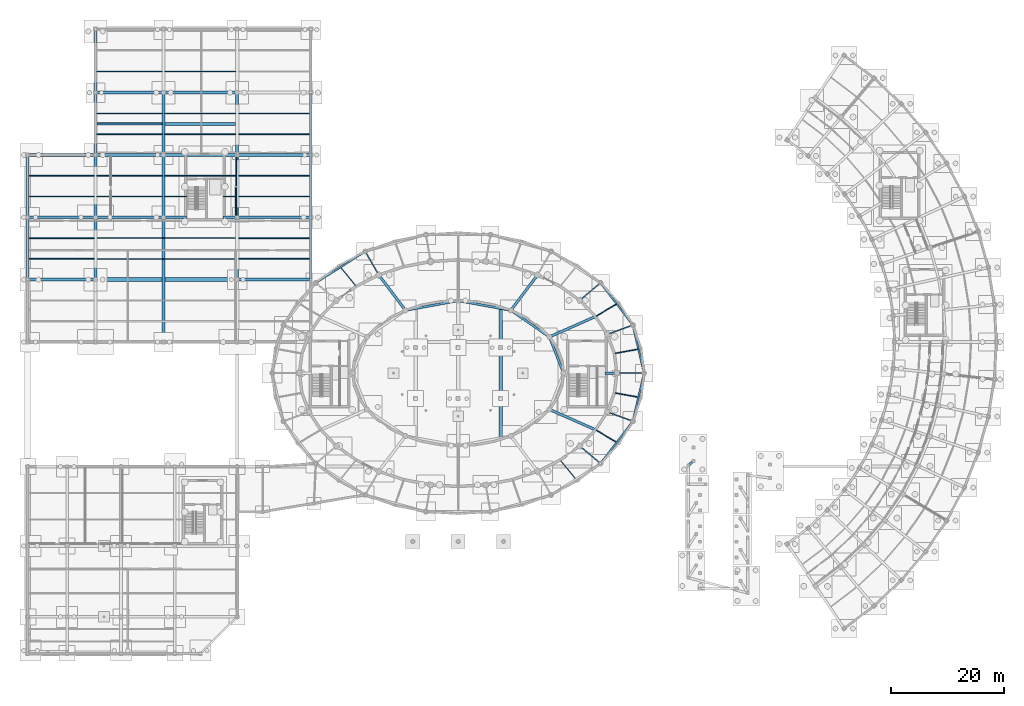
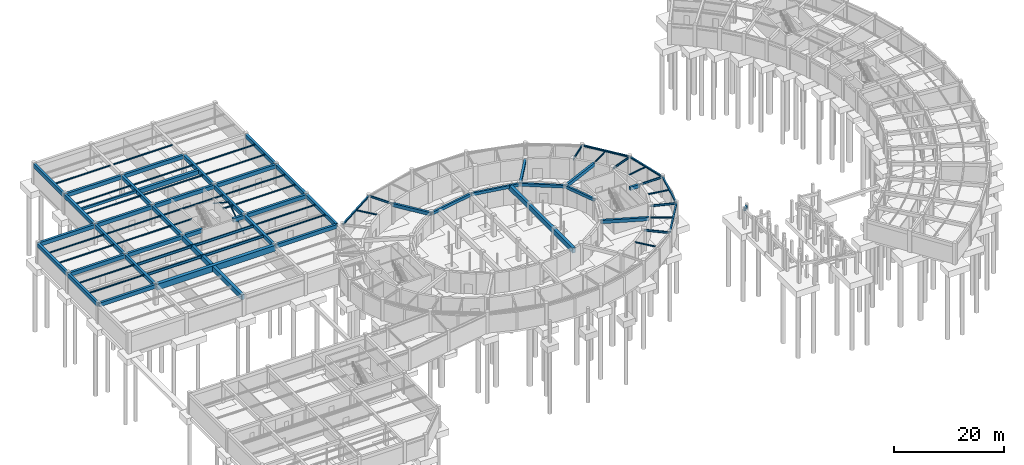
# One storey, part 14 of 42: 82 beams, 2 members.
"""IFC4 building model written with IfcOpenShell, lengths in metres."""

from ifc_helpers import new_model, si_unit, direction, frame, origin, origin_2d, place, context, subcontext, project, spatial, rectangle, hollow_circle, i_section, extrude, material, material_profile, profile_set, type_object, element, save


model = new_model("IFC4")

# Units and contexts
model_context = context("Model", 3, precision=1e-05, world=origin(), true_north=direction((0.0, 1.0)))
body_context = subcontext(model_context, "Body", "Model", "MODEL_VIEW")
ifc_project = project(units=[si_unit("LENGTHUNIT", "METRE"), si_unit("AREAUNIT", "SQUARE_METRE"), si_unit("VOLUMEUNIT", "CUBIC_METRE"), si_unit("PLANEANGLEUNIT", "RADIAN"), si_unit("MASSUNIT", "GRAM", prefix="KILO")], contexts=[model_context])

# Site, building, storey
site_placement = place(None, origin())
site = spatial("IfcSite", under=ifc_project, at=site_placement, CompositionType="ELEMENT")
building_placement = place(site_placement, origin())
building = spatial("IfcBuilding", under=site, at=building_placement, Name="Tarnveldt Headland Concert Hall", CompositionType="ELEMENT")
storey_placement = place(building_placement, frame((0.0, 0.0, -4.800048828125)))
storey = spatial("IfcBuildingStorey", under=building, at=storey_placement, Name="B1", CompositionType="ELEMENT", Elevation=-4.800048828125)

# Members
ifc_material_1 = material(Name="Steel S355", Category="steel")
ifc_material_profile_1 = material_profile(ifc_material_1, hollow_circle(Radius=0.136474609375, WallThickness=0.01611328125, at=origin_2d()), Name="CHS 273x16", Category="steel")
ifc_profile_set_1 = profile_set([ifc_material_profile_1], Name="Steel S355")
member_type = type_object("IfcMemberType", Name="BR-CHS273", PredefinedType="BRACE", material=ifc_profile_set_1)
member_1_placement = place(storey_placement, frame((44.300048828125, 81.800048828125, 0.300048828125), z_axis=(0.0, 0.837759521195, 0.546039361811), x_axis=(-1.0, 0.0, 0.0)))
element("IfcMember", 1, at=member_1_placement, inside=storey, type_object=member_type, Name="Lateral chevron brace B1-4A", PredefinedType="BRACE", context=body_context, shape_type="SweptSolid", body=[
    extrude(hollow_circle(Radius=0.136474609375, WallThickness=0.01611328125, at=origin_2d()), origin(), (0.0, 0.0, 1.0), 6.684326171875),
])
member_2_placement = place(storey_placement, frame((44.300048828125, 93.0, 0.300048828125), z_axis=(0.0, -0.837770410765, 0.546022654152), x_axis=(1.0, 0.0, 0.0)))
element("IfcMember", 2, at=member_2_placement, inside=storey, type_object=member_type, Name="Lateral chevron brace B1-4B", PredefinedType="BRACE", context=body_context, shape_type="SweptSolid", body=[
    extrude(hollow_circle(Radius=0.136474609375, WallThickness=0.01611328125, at=origin_2d()), origin(), (0.0, 0.0, 1.0), 6.6845703125),
])

# Beams
ifc_material_2 = material(Name="Concrete C40/50", Category="concrete")
ifc_material_profile_2 = material_profile(ifc_material_2, rectangle(XDim=0.35009765625, YDim=0.550048828125, at=origin_2d()), Name="RC 350x550", Category="concrete")
ifc_profile_set_2 = profile_set([ifc_material_profile_2], Name="Concrete C40/50")
beam_type_1 = type_object("IfcBeamType", Name="CB-350x550", PredefinedType="BEAM", material=ifc_profile_set_2)
beam_1_placement = place(storey_placement, frame((19.75, 98.5, 4.22509765625), z_axis=(1.0, 0.0, 0.0), x_axis=(0.0, 1.0, 0.0)))
element("IfcBeam", 3, at=beam_1_placement, inside=storey, type_object=beam_type_1, Name="Framing beam B1-1453", PredefinedType="BEAM", context=body_context, shape_type="SweptSolid", body=[
    extrude(rectangle(XDim=0.35009765625, YDim=0.550048828125, at=origin_2d()), origin(), (0.0, 0.0, 1.0), 11.5),
])
ifc_material_profile_3 = material_profile(ifc_material_2, rectangle(XDim=0.39990234375, YDim=0.64990234375, at=origin_2d()), Name="RC 400x650", Category="concrete")
ifc_profile_set_3 = profile_set([ifc_material_profile_3], Name="Concrete C40/50")
beam_type_2 = type_object("IfcBeamType", Name="CB-400x650", PredefinedType="BEAM", material=ifc_profile_set_3)
beam_2_placement = place(storey_placement, frame((102.078125, 54.555908203125, 4.175048828125), z_axis=(-0.362816377746, 0.931860652694, 0.0), x_axis=(-0.931860652694, -0.362816377746, 0.0)))
element("IfcBeam", 4, at=beam_2_placement, inside=storey, type_object=beam_type_2, Name="Framing beam B1-56", PredefinedType="BEAM", context=body_context, shape_type="SweptSolid", body=[
    extrude(rectangle(XDim=0.39990234375, YDim=0.64990234375, at=origin_2d()), origin(), (0.0, 0.0, 1.0), 6.747802734375),
])
beam_3_placement = place(storey_placement, frame((99.55859375, 60.93408203125, 4.175048828125), z_axis=(-0.823792567818, 0.566891352207, 0.0), x_axis=(-0.566891352207, -0.823792567818, 0.0)))
element("IfcBeam", 5, at=beam_3_placement, inside=storey, type_object=beam_type_2, Name="Framing beam B1-58", PredefinedType="BEAM", context=body_context, shape_type="SweptSolid", body=[
    extrude(rectangle(XDim=0.39990234375, YDim=0.64990234375, at=origin_2d()), origin(), (0.0, 0.0, 1.0), 8.144287109375),
])
for number, where, z_axis, x_axis, name in (
    (6, (92.740966796875, 65.595947265625, 4.175048828125), (-0.983420438696, 0.181340124501, 0.0), (-0.181340124501, -0.983420438696, 0.0), "Framing beam B1-60"),
    (7, (83.44091796875, 67.2890625, 4.175048828125), (-0.983420438696, -0.181340124501, 0.0), (0.181340124501, -0.983420438696, 0.0), "Framing beam B1-62"),
):
    element("IfcBeam", number, at=place(storey_placement, frame(where, z_axis=z_axis, x_axis=x_axis)), inside=storey, type_object=beam_type_2, Name=name, PredefinedType="BEAM", context=body_context, shape_type="SweptSolid", body=[
        extrude(rectangle(XDim=0.39990234375, YDim=0.64990234375, at=origin_2d()), origin(), (0.0, 0.0, 1.0), 9.336669921875),
    ])
beam_4_placement = place(storey_placement, frame((124.1298828125, 38.2265625, 4.175048828125), z_axis=(0.747469222213, 0.66429644124, 0.0), x_axis=(-0.66429644124, 0.747469222213, 0.0)))
element("IfcBeam", 8, at=beam_4_placement, inside=storey, type_object=beam_type_2, Name="Framing beam B1-1432", PredefinedType="BEAM", context=body_context, shape_type="SweptSolid", body=[
    extrude(rectangle(XDim=0.39990234375, YDim=0.64990234375, at=origin_2d()), origin(), (0.0, 0.0, 1.0), 1.124267578125),
])
ifc_material_profile_4 = material_profile(ifc_material_2, rectangle(XDim=0.449951171875, YDim=0.75, at=origin_2d()), Name="RC 450x750", Category="concrete")
ifc_profile_set_4 = profile_set([ifc_material_profile_4], Name="Concrete C40/50")
beam_type_3 = type_object("IfcBeamType", Name="CB-450x750", PredefinedType="BEAM", material=ifc_profile_set_4)
beam_5_placement = place(storey_placement, frame((109.419921875, 54.5, 4.125), z_axis=(1.0, 0.0, 0.0), x_axis=(0.0, 1.0, 0.0)))
element("IfcBeam", 9, at=beam_5_placement, inside=storey, type_object=beam_type_3, Name="Framing beam B1-55", PredefinedType="BEAM", context=body_context, shape_type="SweptSolid", body=[
    extrude(rectangle(XDim=0.449951171875, YDim=0.75, at=origin_2d()), origin(), (0.0, 0.0, 1.0), 2.0400390625),
])
beam_6_placement = place(storey_placement, frame((99.644775390625, 60.916259765625, 4.125), z_axis=(0.91456211397, 0.404445471839, 0.0), x_axis=(-0.404445471839, 0.91456211397, 0.0)))
element("IfcBeam", 10, at=beam_6_placement, inside=storey, type_object=beam_type_3, Name="Framing beam B1-57", PredefinedType="BEAM", context=body_context, shape_type="SweptSolid", body=[
    extrude(rectangle(XDim=0.449951171875, YDim=0.75, at=origin_2d()), origin(), (0.0, 0.0, 1.0), 8.821044921875),
])
for number, where, z_axis, x_axis, name in (
    (11, (92.82421875, 65.616943359375, 4.125), (0.601893745781, 0.798576182208, 0.0), (-0.798576182208, 0.601893745781, 0.0), "Framing beam B1-59"),
    (12, (74.17578125, 65.616943359375, 4.125), (-0.601893745781, 0.798576182208, 0.0), (-0.798576182208, -0.601893745781, 0.0), "Framing beam B1-63"),
):
    element("IfcBeam", number, at=place(storey_placement, frame(where, z_axis=z_axis, x_axis=x_axis)), inside=storey, type_object=beam_type_3, Name=name, PredefinedType="BEAM", context=body_context, shape_type="SweptSolid", body=[
        extrude(rectangle(XDim=0.449951171875, YDim=0.75, at=origin_2d()), origin(), (0.0, 0.0, 1.0), 7.728271484375),
    ])
beam_7_placement = place(storey_placement, frame((99.644775390625, 48.083740234375, 4.125), z_axis=(0.91456211397, -0.404445471839, 0.0), x_axis=(0.404445471839, 0.91456211397, 0.0)))
element("IfcBeam", 13, at=beam_7_placement, inside=storey, type_object=beam_type_3, Name="Framing beam B1-77", PredefinedType="BEAM", context=body_context, shape_type="SweptSolid", body=[
    extrude(rectangle(XDim=0.449951171875, YDim=0.75, at=origin_2d()), origin(), (0.0, 0.0, 1.0), 8.821044921875),
])
ifc_material_profile_5 = material_profile(ifc_material_2, rectangle(XDim=0.5, YDim=0.85009765625, at=origin_2d()), Name="RC 500x850", Category="concrete")
ifc_profile_set_5 = profile_set([ifc_material_profile_5], Name="Concrete C40/50")
beam_type_4 = type_object("IfcBeamType", Name="CB-500x850", PredefinedType="BEAM", material=ifc_profile_set_5)
beam_8_placement = place(storey_placement, frame((7.56005859375, 71.0, 4.074951171875), z_axis=(1.0, 0.0, 0.0), x_axis=(0.0, 1.0, 0.0)))
element("IfcBeam", 14, at=beam_8_placement, inside=storey, type_object=beam_type_4, Name="Framing beam B1-273", PredefinedType="BEAM", context=body_context, shape_type="SweptSolid", body=[
    extrude(rectangle(XDim=0.5, YDim=0.85009765625, at=origin_2d()), origin(), (0.0, 0.0, 1.0), 11.8798828125),
])
beam_9_placement = place(storey_placement, frame((44.56005859375, 71.0, 4.074951171875), z_axis=(1.0, 0.0, 0.0), x_axis=(0.0, 1.0, 0.0)))
element("IfcBeam", 15, at=beam_9_placement, inside=storey, type_object=beam_type_4, Name="Framing beam B1-275", PredefinedType="BEAM", context=body_context, shape_type="SweptSolid", body=[
    extrude(rectangle(XDim=0.5, YDim=0.85009765625, at=origin_2d()), origin(), (0.0, 0.0, 1.0), 12.8798828125),
])
for number, where, z_axis, x_axis, name in (
    (16, (7.56005859375, 82.0, 4.074951171875), (1.0, 0.0, 0.0), (0.0, 1.0, 0.0), "Framing beam B1-276"),
    (17, (19.56005859375, 82.0, 4.074951171875), (1.0, 0.0, 0.0), (0.0, 1.0, 0.0), "Framing beam B1-277"),
):
    element("IfcBeam", number, at=place(storey_placement, frame(where, z_axis=z_axis, x_axis=x_axis)), inside=storey, type_object=beam_type_4, Name=name, PredefinedType="BEAM", context=body_context, shape_type="SweptSolid", body=[
        extrude(rectangle(XDim=0.5, YDim=0.85009765625, at=origin_2d()), origin(), (0.0, 0.0, 1.0), 11.8798828125),
    ])
beam_10_placement = place(storey_placement, frame((31.56005859375, 82.0, 4.074951171875), z_axis=(1.0, 0.0, 0.0), x_axis=(0.0, 1.0, 0.0)))
element("IfcBeam", 18, at=beam_10_placement, inside=storey, type_object=beam_type_4, Name="Framing beam B1-278", PredefinedType="BEAM", context=body_context, shape_type="SweptSolid", body=[
    extrude(rectangle(XDim=0.5, YDim=0.85009765625, at=origin_2d()), origin(), (0.0, 0.0, 1.0), 4.02001953125),
])
beam_11_placement = place(storey_placement, frame((42.02001953125, 82.0, 4.074951171875), z_axis=(1.0, 0.0, 0.0), x_axis=(0.0, 1.0, 0.0)))
element("IfcBeam", 19, at=beam_11_placement, inside=storey, type_object=beam_type_4, Name="Framing beam B1-279", PredefinedType="BEAM", context=body_context, shape_type="SweptSolid", body=[
    extrude(rectangle(XDim=0.5, YDim=0.85009765625, at=origin_2d()), origin(), (0.0, 0.0, 1.0), 2.419921875),
])
beam_12_placement = place(storey_placement, frame((44.56005859375, 82.0, 4.074951171875), z_axis=(1.0, 0.0, 0.0), x_axis=(0.0, 1.0, 0.0)))
element("IfcBeam", 20, at=beam_12_placement, inside=storey, type_object=beam_type_4, Name="Framing beam B1-280", PredefinedType="BEAM", context=body_context, shape_type="SweptSolid", body=[
    extrude(rectangle(XDim=0.5, YDim=0.85009765625, at=origin_2d()), origin(), (0.0, 0.0, 1.0), 12.8798828125),
])
for number, where, z_axis, x_axis, name in (
    (21, (7.56005859375, 93.0, 4.074951171875), (1.0, 0.0, 0.0), (0.0, 1.0, 0.0), "Framing beam B1-281"),
    (22, (19.56005859375, 93.0, 4.074951171875), (1.0, 0.0, 0.0), (0.0, 1.0, 0.0), "Framing beam B1-282"),
):
    element("IfcBeam", number, at=place(storey_placement, frame(where, z_axis=z_axis, x_axis=x_axis)), inside=storey, type_object=beam_type_4, Name=name, PredefinedType="BEAM", context=body_context, shape_type="SweptSolid", body=[
        extrude(rectangle(XDim=0.5, YDim=0.85009765625, at=origin_2d()), origin(), (0.0, 0.0, 1.0), 11.8798828125),
    ])
for number, where, z_axis, x_axis, name in (
    (23, (31.56005859375, 93.0, 4.074951171875), (1.0, 0.0, 0.0), (0.0, 1.0, 0.0), "Framing beam B1-283"),
    (24, (44.56005859375, 93.0, 4.074951171875), (1.0, 0.0, 0.0), (0.0, 1.0, 0.0), "Framing beam B1-284"),
):
    element("IfcBeam", number, at=place(storey_placement, frame(where, z_axis=z_axis, x_axis=x_axis)), inside=storey, type_object=beam_type_4, Name=name, PredefinedType="BEAM", context=body_context, shape_type="SweptSolid", body=[
        extrude(rectangle(XDim=0.5, YDim=0.85009765625, at=origin_2d()), origin(), (0.0, 0.0, 1.0), 12.8798828125),
    ])
beam_13_placement = place(storey_placement, frame((19.56005859375, 104.0, 4.074951171875), z_axis=(1.0, 0.0, 0.0), x_axis=(0.0, 1.0, 0.0)))
element("IfcBeam", 25, at=beam_13_placement, inside=storey, type_object=beam_type_4, Name="Framing beam B1-285", PredefinedType="BEAM", context=body_context, shape_type="SweptSolid", body=[
    extrude(rectangle(XDim=0.5, YDim=0.85009765625, at=origin_2d()), origin(), (0.0, 0.0, 1.0), 11.8798828125),
])
beam_14_placement = place(storey_placement, frame((31.56005859375, 104.0, 4.074951171875), z_axis=(1.0, 0.0, 0.0), x_axis=(0.0, 1.0, 0.0)))
element("IfcBeam", 26, at=beam_14_placement, inside=storey, type_object=beam_type_4, Name="Framing beam B1-286", PredefinedType="BEAM", context=body_context, shape_type="SweptSolid", body=[
    extrude(rectangle(XDim=0.5, YDim=0.85009765625, at=origin_2d()), origin(), (0.0, 0.0, 1.0), 12.8798828125),
])
for number, where, z_axis, x_axis, name in (
    (27, (7.5, 71.06005859375, 4.074951171875), (0.0, 1.0, 0.0), (-1.0, 0.0, 0.0), "Framing beam B1-294"),
    (28, (7.5, 82.06005859375, 4.074951171875), (0.0, 1.0, 0.0), (-1.0, 0.0, 0.0), "Framing beam B1-297"),
    (29, (19.5, 71.06005859375, 4.074951171875), (0.0, 1.0, 0.0), (-1.0, 0.0, 0.0), "Framing beam B1-303"),
    (30, (19.5, 82.06005859375, 4.074951171875), (0.0, 1.0, 0.0), (-1.0, 0.0, 0.0), "Framing beam B1-306"),
    (31, (19.5, 93.06005859375, 4.074951171875), (0.0, 1.0, 0.0), (-1.0, 0.0, 0.0), "Framing beam B1-309"),
):
    element("IfcBeam", number, at=place(storey_placement, frame(where, z_axis=z_axis, x_axis=x_axis)), inside=storey, type_object=beam_type_4, Name=name, PredefinedType="BEAM", context=body_context, shape_type="SweptSolid", body=[
        extrude(rectangle(XDim=0.5, YDim=0.85009765625, at=origin_2d()), origin(), (0.0, 0.0, 1.0), 10.8798828125),
    ])
beam_15_placement = place(storey_placement, frame((19.5, 104.06005859375, 4.074951171875), z_axis=(0.0, 1.0, 0.0), x_axis=(-1.0, 0.0, 0.0)))
element("IfcBeam", 32, at=beam_15_placement, inside=storey, type_object=beam_type_4, Name="Framing beam B1-312", PredefinedType="BEAM", context=body_context, shape_type="SweptSolid", body=[
    extrude(rectangle(XDim=0.5, YDim=0.85009765625, at=origin_2d()), origin(), (0.0, 0.0, 1.0), 11.079833984375),
])
for number, where, z_axis, x_axis, name in (
    (33, (31.5, 82.06005859375, 4.074951171875), (0.0, 1.0, 0.0), (-1.0, 0.0, 0.0), "Framing beam B1-316"),
    (34, (31.5, 93.06005859375, 4.074951171875), (0.0, 1.0, 0.0), (-1.0, 0.0, 0.0), "Framing beam B1-320"),
    (35, (44.5, 71.06005859375, 4.074951171875), (0.0, 1.0, 0.0), (-1.0, 0.0, 0.0), "Framing beam B1-329"),
    (36, (44.5, 82.06005859375, 4.074951171875), (0.0, 1.0, 0.0), (-1.0, 0.0, 0.0), "Framing beam B1-332"),
    (37, (44.5, 93.06005859375, 4.074951171875), (0.0, 1.0, 0.0), (-1.0, 0.0, 0.0), "Framing beam B1-335"),
    (38, (57.5, 71.06005859375, 4.074951171875), (0.0, 1.0, 0.0), (-1.0, 0.0, 0.0), "Framing beam B1-342"),
    (39, (57.5, 82.06005859375, 4.074951171875), (0.0, 1.0, 0.0), (-1.0, 0.0, 0.0), "Framing beam B1-343"),
    (40, (57.5, 93.06005859375, 4.074951171875), (0.0, 1.0, 0.0), (-1.0, 0.0, 0.0), "Framing beam B1-344"),
):
    element("IfcBeam", number, at=place(storey_placement, frame(where, z_axis=z_axis, x_axis=x_axis)), inside=storey, type_object=beam_type_4, Name=name, PredefinedType="BEAM", context=body_context, shape_type="SweptSolid", body=[
        extrude(rectangle(XDim=0.5, YDim=0.85009765625, at=origin_2d()), origin(), (0.0, 0.0, 1.0), 10.8798828125),
    ])
ifc_material_profile_6 = material_profile(ifc_material_2, rectangle(XDim=0.550048828125, YDim=0.949951171875, at=origin_2d()), Name="RC 550x950", Category="concrete")
ifc_profile_set_6 = profile_set([ifc_material_profile_6], Name="Concrete C40/50")
beam_type_5 = type_object("IfcBeamType", Name="CB-550x950", PredefinedType="BEAM", material=ifc_profile_set_6)
beam_16_placement = place(storey_placement, frame((31.75, 98.5, 4.025146484375), z_axis=(1.0, 0.0, 0.0), x_axis=(0.0, 1.0, 0.0)))
element("IfcBeam", 41, at=beam_16_placement, inside=storey, type_object=beam_type_5, Name="Framing beam B1-1454", PredefinedType="BEAM", context=body_context, shape_type="SweptSolid", body=[
    extrude(rectangle(XDim=0.550048828125, YDim=0.949951171875, at=origin_2d()), origin(), (0.0, 0.0, 1.0), 12.5),
])
ifc_material_profile_7 = material_profile(ifc_material_2, rectangle(XDim=0.60009765625, YDim=1.10009765625, at=origin_2d()), Name="RC 600x1100", Category="concrete")
ifc_profile_set_7 = profile_set([ifc_material_profile_7], Name="Concrete C40/50")
beam_type_6 = type_object("IfcBeamType", Name="CB-600x1100", PredefinedType="BEAM", material=ifc_profile_set_7)
beam_17_placement = place(storey_placement, frame((91.0, 42.806640625, 3.949951171875), z_axis=(0.0, 1.0, 0.0), x_axis=(-1.0, 0.0, 0.0)))
element("IfcBeam", 42, at=beam_17_placement, inside=storey, type_object=beam_type_6, Name="Framing beam B1-81", PredefinedType="BEAM", context=body_context, shape_type="SweptSolid", body=[
    extrude(rectangle(XDim=0.60009765625, YDim=1.10009765625, at=origin_2d()), origin(), (0.0, 0.0, 1.0), 23.38671875),
])
beam_18_placement = place(storey_placement, frame((31.5, 60.06005859375, 3.949951171875), z_axis=(0.0, 1.0, 0.0), x_axis=(-1.0, 0.0, 0.0)))
element("IfcBeam", 43, at=beam_18_placement, inside=storey, type_object=beam_type_6, Name="Framing beam B1-315", PredefinedType="BEAM", context=body_context, shape_type="SweptSolid", body=[
    extrude(rectangle(XDim=0.60009765625, YDim=1.10009765625, at=origin_2d()), origin(), (0.0, 0.0, 1.0), 21.8798828125),
])
ifc_material_profile_8 = material_profile(ifc_material_2, rectangle(XDim=0.699951171875, YDim=1.300048828125, at=origin_2d()), Name="RC 700x1300", Category="concrete")
ifc_profile_set_8 = profile_set([ifc_material_profile_8], Name="Concrete C40/50")
beam_type_7 = type_object("IfcBeamType", Name="CB-700x1300", PredefinedType="BEAM", material=ifc_profile_set_8)
beam_19_placement = place(storey_placement, frame((19.580078125, 71.0, 3.85009765625), z_axis=(1.0, 0.0, 0.0), x_axis=(0.0, 1.0, 0.0)))
element("IfcBeam", 44, at=beam_19_placement, inside=storey, type_object=beam_type_7, Name="Framing beam B1-274", PredefinedType="BEAM", context=body_context, shape_type="SweptSolid", body=[
    extrude(rectangle(XDim=0.699951171875, YDim=1.300048828125, at=origin_2d()), origin(), (0.0, 0.0, 1.0), 24.83984375),
])
ifc_material_profile_9 = material_profile(ifc_material_1, i_section(OverallWidth=0.300048828125, OverallDepth=0.35009765625, WebThickness=0.010009765625, FlangeThickness=0.017578125, FilletRadius=0.027099609375, at=origin_2d()), Name="HEA360", Category="steel")
ifc_profile_set_9 = profile_set([ifc_material_profile_9], Name="Steel S355")
beam_type_8 = type_object("IfcBeamType", Name="SB-HEA360", PredefinedType="SPANDREL", material=ifc_profile_set_9)
beam_20_placement = place(storey_placement, frame((116.286376953125, 54.558349609375, 4.324951171875), z_axis=(-0.227123591729, 0.973865942561, 0.0), x_axis=(-0.973865942561, -0.227123591729, 0.0)))
element("IfcBeam", 45, at=beam_20_placement, inside=storey, type_object=beam_type_8, Name="Framing beam B1-1", PredefinedType="SPANDREL", context=body_context, shape_type="SweptSolid", body=[
    extrude(i_section(OverallWidth=0.300048828125, OverallDepth=0.35009765625, WebThickness=0.010009765625, FlangeThickness=0.017578125, FilletRadius=0.027099609375, at=origin_2d()), origin(), (0.0, 0.0, 1.0), 8.589599609375),
])
beam_21_placement = place(storey_placement, frame((114.285400390625, 63.02978515625, 4.324951171875), z_axis=(-0.606896353007, 0.794780986629, 0.0), x_axis=(-0.794780986629, -0.606896353007, 0.0)))
element("IfcBeam", 46, at=beam_21_placement, inside=storey, type_object=beam_type_8, Name="Framing beam B1-4", PredefinedType="SPANDREL", context=body_context, shape_type="SweptSolid", body=[
    extrude(i_section(OverallWidth=0.300048828125, OverallDepth=0.35009765625, WebThickness=0.010009765625, FlangeThickness=0.017578125, FilletRadius=0.027099609375, at=origin_2d()), origin(), (0.0, 0.0, 1.0), 9.264892578125),
])
beam_22_placement = place(storey_placement, frame((67.04931640625, 75.9453125, 4.324951171875), z_axis=(-0.844390967344, -0.535727444012, 0.0), x_axis=(0.535727444012, -0.844390967344, 0.0)))
element("IfcBeam", 47, at=beam_22_placement, inside=storey, type_object=beam_type_8, Name="Framing beam B1-19", PredefinedType="SPANDREL", context=body_context, shape_type="SweptSolid", body=[
    extrude(i_section(OverallWidth=0.300048828125, OverallDepth=0.35009765625, WebThickness=0.010009765625, FlangeThickness=0.017578125, FilletRadius=0.027099609375, at=origin_2d()), origin(), (0.0, 0.0, 1.0), 10.21435546875),
])
beam_23_placement = place(storey_placement, frame((108.66259765625, 38.606689453125, 4.324951171875), z_axis=(0.606896353007, 0.794780986629, 0.0), x_axis=(-0.794780986629, 0.606896353007, 0.0)))
element("IfcBeam", 48, at=beam_23_placement, inside=storey, type_object=beam_type_8, Name="Framing beam B1-49", PredefinedType="SPANDREL", context=body_context, shape_type="SweptSolid", body=[
    extrude(i_section(OverallWidth=0.300048828125, OverallDepth=0.35009765625, WebThickness=0.010009765625, FlangeThickness=0.017578125, FilletRadius=0.027099609375, at=origin_2d()), origin(), (0.0, 0.0, 1.0), 9.264892578125),
])
beam_24_placement = place(storey_placement, frame((114.33544921875, 46.076416015625, 4.324951171875), z_axis=(0.227123591729, 0.973865942561, 0.0), x_axis=(-0.973865942561, 0.227123591729, 0.0)))
element("IfcBeam", 49, at=beam_24_placement, inside=storey, type_object=beam_type_8, Name="Framing beam B1-52", PredefinedType="SPANDREL", context=body_context, shape_type="SweptSolid", body=[
    extrude(i_section(OverallWidth=0.300048828125, OverallDepth=0.35009765625, WebThickness=0.010009765625, FlangeThickness=0.017578125, FilletRadius=0.027099609375, at=origin_2d()), origin(), (0.0, 0.0, 1.0), 8.589599609375),
])
ifc_material_profile_10 = material_profile(ifc_material_1, i_section(OverallWidth=0.14990234375, OverallDepth=0.300048828125, WebThickness=0.007080078125, FlangeThickness=0.0107421875, FilletRadius=0.014892578125, at=origin_2d()), Name="IPE300", Category="steel")
ifc_profile_set_10 = profile_set([ifc_material_profile_10], Name="Steel S355")
beam_type_9 = type_object("IfcBeamType", Name="SB-IPE300", PredefinedType="JOIST", material=ifc_profile_set_10)
beam_25_placement = place(storey_placement, frame((111.246826171875, 58.004150390625, 4.35009765625), z_axis=(0.983953220183, 0.178426624954, 0.0), x_axis=(-0.178426624954, 0.983953220183, 0.0)))
element("IfcBeam", 50, at=beam_25_placement, inside=storey, type_object=beam_type_9, Name="Framing beam B1-3", PredefinedType="JOIST", context=body_context, shape_type="SweptSolid", body=[
    extrude(i_section(OverallWidth=0.14990234375, OverallDepth=0.300048828125, WebThickness=0.007080078125, FlangeThickness=0.0107421875, FilletRadius=0.014892578125, at=origin_2d()), origin(), (0.0, 0.0, 1.0), 3.98046875),
])
beam_26_placement = place(storey_placement, frame((107.899169921875, 64.58935546875, 4.35009765625), z_axis=(0.859902377377, 0.510458520726, 0.0), x_axis=(-0.510458520726, 0.859902377377, 0.0)))
element("IfcBeam", 51, at=beam_26_placement, inside=storey, type_object=beam_type_9, Name="Framing beam B1-6", PredefinedType="JOIST", context=body_context, shape_type="SweptSolid", body=[
    extrude(i_section(OverallWidth=0.14990234375, OverallDepth=0.300048828125, WebThickness=0.007080078125, FlangeThickness=0.0107421875, FilletRadius=0.014892578125, at=origin_2d()), origin(), (0.0, 0.0, 1.0), 4.007568359375),
])
beam_27_placement = place(storey_placement, frame((65.391357421875, 69.95654296875, 4.35009765625), z_axis=(-0.632291553532, 0.774730528205, 0.0), x_axis=(-0.774730528205, -0.632291553532, 0.0)))
element("IfcBeam", 52, at=beam_27_placement, inside=storey, type_object=beam_type_9, Name="Framing beam B1-21", PredefinedType="JOIST", context=body_context, shape_type="SweptSolid", body=[
    extrude(i_section(OverallWidth=0.14990234375, OverallDepth=0.300048828125, WebThickness=0.007080078125, FlangeThickness=0.0107421875, FilletRadius=0.014892578125, at=origin_2d()), origin(), (0.0, 0.0, 1.0), 4.048583984375),
])
beam_28_placement = place(storey_placement, frame((101.608642578125, 39.04345703125, 4.35009765625), z_axis=(0.63225535632, -0.774760068928, 0.0), x_axis=(0.774760068928, 0.63225535632, 0.0)))
element("IfcBeam", 53, at=beam_28_placement, inside=storey, type_object=beam_type_9, Name="Framing beam B1-48", PredefinedType="JOIST", context=body_context, shape_type="SweptSolid", body=[
    extrude(i_section(OverallWidth=0.14990234375, OverallDepth=0.300048828125, WebThickness=0.007080078125, FlangeThickness=0.0107421875, FilletRadius=0.014892578125, at=origin_2d()), origin(), (0.0, 0.0, 1.0), 4.04833984375),
])
beam_29_placement = place(storey_placement, frame((107.899169921875, 44.41064453125, 4.35009765625), z_axis=(0.859902377377, -0.510458520726, 0.0), x_axis=(0.510458520726, 0.859902377377, 0.0)))
element("IfcBeam", 54, at=beam_29_placement, inside=storey, type_object=beam_type_9, Name="Framing beam B1-51", PredefinedType="JOIST", context=body_context, shape_type="SweptSolid", body=[
    extrude(i_section(OverallWidth=0.14990234375, OverallDepth=0.300048828125, WebThickness=0.007080078125, FlangeThickness=0.0107421875, FilletRadius=0.014892578125, at=origin_2d()), origin(), (0.0, 0.0, 1.0), 4.007568359375),
])
beam_30_placement = place(storey_placement, frame((111.246826171875, 50.995849609375, 4.35009765625), z_axis=(0.983953220183, -0.178426624954, 0.0), x_axis=(0.178426624954, 0.983953220183, 0.0)))
element("IfcBeam", 55, at=beam_30_placement, inside=storey, type_object=beam_type_9, Name="Framing beam B1-54", PredefinedType="JOIST", context=body_context, shape_type="SweptSolid", body=[
    extrude(i_section(OverallWidth=0.14990234375, OverallDepth=0.300048828125, WebThickness=0.007080078125, FlangeThickness=0.0107421875, FilletRadius=0.014892578125, at=origin_2d()), origin(), (0.0, 0.0, 1.0), 3.98046875),
])
for number, where, z_axis, x_axis, name in (
    (56, (7.75, 74.6669921875, 4.35009765625), (1.0, 0.0, 0.0), (0.0, 1.0, 0.0), "Framing beam B1-295"),
    (57, (7.75, 78.3330078125, 4.35009765625), (1.0, 0.0, 0.0), (0.0, 1.0, 0.0), "Framing beam B1-296"),
    (58, (7.75, 85.6669921875, 4.35009765625), (1.0, 0.0, 0.0), (0.0, 1.0, 0.0), "Framing beam B1-298"),
    (59, (7.75, 89.3330078125, 4.35009765625), (1.0, 0.0, 0.0), (0.0, 1.0, 0.0), "Framing beam B1-299"),
    (60, (19.75, 85.6669921875, 4.35009765625), (1.0, 0.0, 0.0), (0.0, 1.0, 0.0), "Framing beam B1-307"),
    (61, (19.75, 89.3330078125, 4.35009765625), (1.0, 0.0, 0.0), (0.0, 1.0, 0.0), "Framing beam B1-308"),
    (62, (19.75, 96.6669921875, 4.35009765625), (1.0, 0.0, 0.0), (0.0, 1.0, 0.0), "Framing beam B1-310"),
    (63, (19.75, 100.3330078125, 4.35009765625), (1.0, 0.0, 0.0), (0.0, 1.0, 0.0), "Framing beam B1-311"),
    (64, (19.75, 107.73291015625, 4.35009765625), (1.0, 0.0, 0.0), (0.0, 1.0, 0.0), "Framing beam B1-313"),
):
    element("IfcBeam", number, at=place(storey_placement, frame(where, z_axis=z_axis, x_axis=x_axis)), inside=storey, type_object=beam_type_9, Name=name, PredefinedType="JOIST", context=body_context, shape_type="SweptSolid", body=[
        extrude(i_section(OverallWidth=0.14990234375, OverallDepth=0.300048828125, WebThickness=0.007080078125, FlangeThickness=0.0107421875, FilletRadius=0.014892578125, at=origin_2d()), origin(), (0.0, 0.0, 1.0), 11.5),
    ])
beam_31_placement = place(storey_placement, frame((31.75, 85.6669921875, 4.35009765625), z_axis=(1.0, 0.0, 0.0), x_axis=(0.0, 1.0, 0.0)))
element("IfcBeam", 65, at=beam_31_placement, inside=storey, type_object=beam_type_9, Name="Framing beam B1-317", PredefinedType="JOIST", context=body_context, shape_type="SweptSolid", body=[
    extrude(i_section(OverallWidth=0.14990234375, OverallDepth=0.300048828125, WebThickness=0.007080078125, FlangeThickness=0.0107421875, FilletRadius=0.014892578125, at=origin_2d()), origin(), (0.0, 0.0, 1.0), 3.830078125),
])
beam_32_placement = place(storey_placement, frame((42.02001953125, 85.6669921875, 4.35009765625), z_axis=(1.0, 0.0, 0.0), x_axis=(0.0, 1.0, 0.0)))
element("IfcBeam", 66, at=beam_32_placement, inside=storey, type_object=beam_type_9, Name="Framing beam B1-318", PredefinedType="JOIST", context=body_context, shape_type="SweptSolid", body=[
    extrude(i_section(OverallWidth=0.14990234375, OverallDepth=0.300048828125, WebThickness=0.007080078125, FlangeThickness=0.0107421875, FilletRadius=0.014892578125, at=origin_2d()), origin(), (0.0, 0.0, 1.0), 2.22998046875),
])
for number, where, z_axis, x_axis, name in (
    (67, (31.75, 89.3330078125, 4.35009765625), (1.0, 0.0, 0.0), (0.0, 1.0, 0.0), "Framing beam B1-319"),
    (68, (31.75, 96.6669921875, 4.35009765625), (1.0, 0.0, 0.0), (0.0, 1.0, 0.0), "Framing beam B1-321"),
    (69, (31.75, 100.3330078125, 4.35009765625), (1.0, 0.0, 0.0), (0.0, 1.0, 0.0), "Framing beam B1-322"),
    (70, (31.75, 107.73291015625, 4.35009765625), (1.0, 0.0, 0.0), (0.0, 1.0, 0.0), "Framing beam B1-324"),
    (71, (44.75, 74.6669921875, 4.35009765625), (1.0, 0.0, 0.0), (0.0, 1.0, 0.0), "Framing beam B1-330"),
    (72, (44.75, 78.3330078125, 4.35009765625), (1.0, 0.0, 0.0), (0.0, 1.0, 0.0), "Framing beam B1-331"),
    (73, (44.75, 85.6669921875, 4.35009765625), (1.0, 0.0, 0.0), (0.0, 1.0, 0.0), "Framing beam B1-333"),
    (74, (44.75, 89.3330078125, 4.35009765625), (1.0, 0.0, 0.0), (0.0, 1.0, 0.0), "Framing beam B1-334"),
    (75, (44.75, 96.6669921875, 4.35009765625), (1.0, 0.0, 0.0), (0.0, 1.0, 0.0), "Framing beam B1-336"),
    (76, (44.75, 100.3330078125, 4.35009765625), (1.0, 0.0, 0.0), (0.0, 1.0, 0.0), "Framing beam B1-337"),
):
    element("IfcBeam", number, at=place(storey_placement, frame(where, z_axis=z_axis, x_axis=x_axis)), inside=storey, type_object=beam_type_9, Name=name, PredefinedType="JOIST", context=body_context, shape_type="SweptSolid", body=[
        extrude(i_section(OverallWidth=0.14990234375, OverallDepth=0.300048828125, WebThickness=0.007080078125, FlangeThickness=0.0107421875, FilletRadius=0.014892578125, at=origin_2d()), origin(), (0.0, 0.0, 1.0), 12.5),
    ])
ifc_material_profile_11 = material_profile(ifc_material_1, i_section(OverallWidth=0.18994140625, OverallDepth=0.449951171875, WebThickness=0.009521484375, FlangeThickness=0.0146484375, FilletRadius=0.02099609375, at=origin_2d()), Name="IPE450", Category="steel")
ifc_profile_set_11 = profile_set([ifc_material_profile_11], Name="Steel S355")
beam_type_10 = type_object("IfcBeamType", Name="SB-IPE450", PredefinedType="BEAM", material=ifc_profile_set_11)
beam_33_placement = place(storey_placement, frame((111.5400390625, 54.5, 4.275146484375), z_axis=(1.0, 0.0, 0.0), x_axis=(0.0, 1.0, 0.0)))
element("IfcBeam", 77, at=beam_33_placement, inside=storey, type_object=beam_type_10, Name="Framing beam B1-2", PredefinedType="BEAM", context=body_context, shape_type="SweptSolid", body=[
    extrude(i_section(OverallWidth=0.18994140625, OverallDepth=0.449951171875, WebThickness=0.009521484375, FlangeThickness=0.0146484375, FilletRadius=0.02099609375, at=origin_2d()), origin(), (0.0, 0.0, 1.0), 4.699951171875),
])
beam_34_placement = place(storey_placement, frame((109.84912109375, 61.35400390625, 4.275146484375), z_axis=(0.939673545823, 0.34207254681, 0.0), x_axis=(-0.34207254681, 0.939673545823, 0.0)))
element("IfcBeam", 78, at=beam_34_placement, inside=storey, type_object=beam_type_10, Name="Framing beam B1-5", PredefinedType="BEAM", context=body_context, shape_type="SweptSolid", body=[
    extrude(i_section(OverallWidth=0.18994140625, OverallDepth=0.449951171875, WebThickness=0.009521484375, FlangeThickness=0.0146484375, FilletRadius=0.02099609375, at=origin_2d()), origin(), (0.0, 0.0, 1.0), 4.69970703125),
])
for number, where, z_axis, x_axis, name in (
    (79, (104.979736328125, 67.381591796875, 4.275146484375), (0.76607107782, 0.642755866351, 0.0), (-0.642755866351, 0.76607107782, 0.0), "Framing beam B1-8"),
    (80, (69.47998046875, 71.85498046875, 4.275146484375), (-0.500016218704, 0.866016039709, 0.0), (-0.866016039709, -0.500016218704, 0.0), "Framing beam B1-20"),
    (81, (104.979736328125, 41.618408203125, 4.275146484375), (0.76607107782, -0.642755866351, 0.0), (0.642755866351, 0.76607107782, 0.0), "Framing beam B1-50"),
):
    element("IfcBeam", number, at=place(storey_placement, frame(where, z_axis=z_axis, x_axis=x_axis)), inside=storey, type_object=beam_type_10, Name=name, PredefinedType="BEAM", context=body_context, shape_type="SweptSolid", body=[
        extrude(i_section(OverallWidth=0.18994140625, OverallDepth=0.449951171875, WebThickness=0.009521484375, FlangeThickness=0.0146484375, FilletRadius=0.02099609375, at=origin_2d()), origin(), (0.0, 0.0, 1.0), 4.699951171875),
    ])
beam_35_placement = place(storey_placement, frame((109.84912109375, 47.64599609375, 4.275146484375), z_axis=(0.939673545823, -0.34207254681, 0.0), x_axis=(0.34207254681, 0.939673545823, 0.0)))
element("IfcBeam", 82, at=beam_35_placement, inside=storey, type_object=beam_type_10, Name="Framing beam B1-53", PredefinedType="BEAM", context=body_context, shape_type="SweptSolid", body=[
    extrude(i_section(OverallWidth=0.18994140625, OverallDepth=0.449951171875, WebThickness=0.009521484375, FlangeThickness=0.0146484375, FilletRadius=0.02099609375, at=origin_2d()), origin(), (0.0, 0.0, 1.0), 4.69970703125),
])
ifc_material_profile_12 = material_profile(ifc_material_1, i_section(OverallWidth=0.219970703125, OverallDepth=0.60009765625, WebThickness=0.011962890625, FlangeThickness=0.01904296875, FilletRadius=0.02392578125, at=origin_2d()), Name="IPE600", Category="steel")
ifc_profile_set_12 = profile_set([ifc_material_profile_12], Name="Steel S355")
beam_type_11 = type_object("IfcBeamType", Name="SB-IPE600", PredefinedType="BEAM", material=ifc_profile_set_12)
for number, where, z_axis, x_axis, name in (
    (83, (19.75, 74.6669921875, 4.199951171875), (1.0, 0.0, 0.0), (0.0, 1.0, 0.0), "Framing beam B1-304"),
    (84, (19.75, 78.3330078125, 4.199951171875), (1.0, 0.0, 0.0), (0.0, 1.0, 0.0), "Framing beam B1-305"),
):
    element("IfcBeam", number, at=place(storey_placement, frame(where, z_axis=z_axis, x_axis=x_axis)), inside=storey, type_object=beam_type_11, Name=name, PredefinedType="BEAM", context=body_context, shape_type="SweptSolid", body=[
        extrude(i_section(OverallWidth=0.219970703125, OverallDepth=0.60009765625, WebThickness=0.011962890625, FlangeThickness=0.01904296875, FilletRadius=0.02392578125, at=origin_2d()), origin(), (0.0, 0.0, 1.0), 24.5),
    ])

save(model, "model.ifc")
